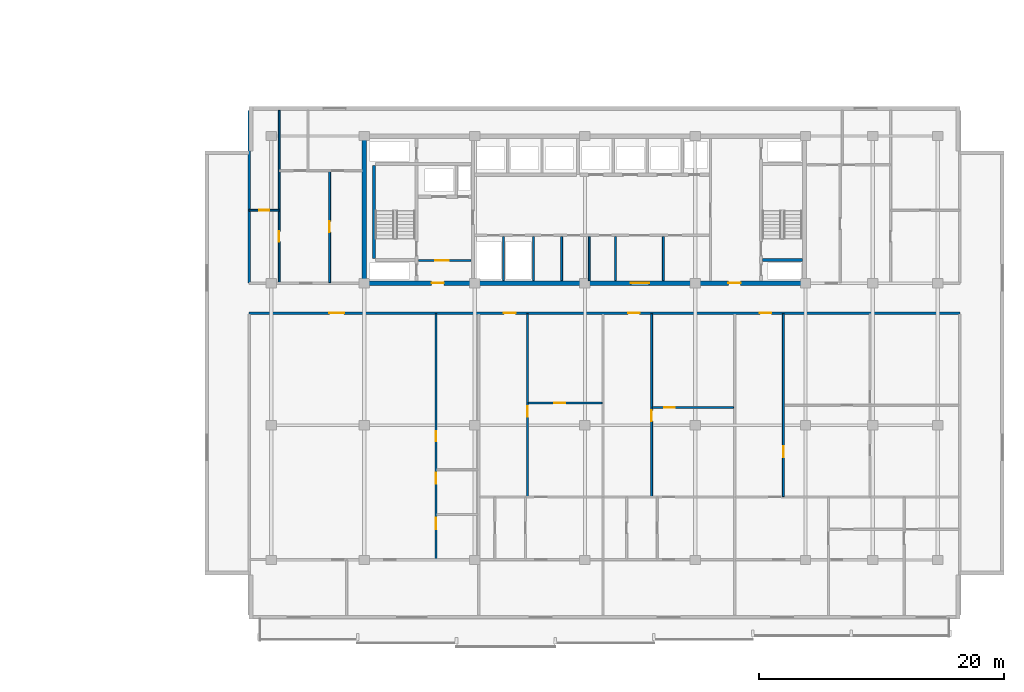
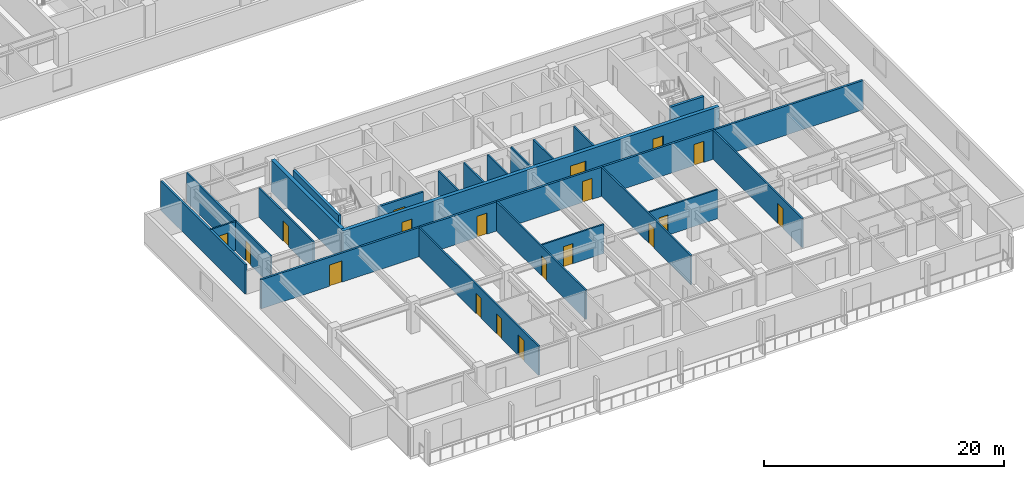
# One storey, part 5 of 21: 22 walls, 19 doors, 19 openings.
"""IFC4 building model written with IfcOpenShell, lengths in metres."""

from ifc_helpers import new_model, si_unit, direction, frame, frame_2d, origin, place, context, subcontext, project, spatial, rectangle, extrude, material, layer, layer_set, type_object, element, fill, save


model = new_model("IFC4")

# Units and contexts
model_context = context("Model", 3, precision=1e-05, world=origin(), true_north=direction((0.0, 1.0)))
body_context = subcontext(model_context, "Body", "Model", "MODEL_VIEW")
ifc_project = project(units=[si_unit("LENGTHUNIT", "METRE"), si_unit("AREAUNIT", "SQUARE_METRE"), si_unit("VOLUMEUNIT", "CUBIC_METRE"), si_unit("PLANEANGLEUNIT", "RADIAN"), si_unit("MASSUNIT", "GRAM", prefix="KILO")], contexts=[model_context])

# Site, building, storey
site_placement = place(None, origin())
site = spatial("IfcSite", under=ifc_project, at=site_placement, CompositionType="ELEMENT")
building_placement = place(site_placement, origin())
building = spatial("IfcBuilding", under=site, at=building_placement, Name="Korimba Cascade Residences", CompositionType="ELEMENT")
storey_placement = place(building_placement, frame((0.0, 0.0, 97.050048828125)))
storey = spatial("IfcBuildingStorey", under=building, at=storey_placement, Name="L27", CompositionType="ELEMENT", Elevation=97.050048828125)

# Wall
ifc_material_1 = material(Name="Concrete C65/80", Category="concrete")
ifc_layer_1 = layer(ifc_material_1, 0.35009765625)
ifc_layer_set_1 = layer_set([ifc_layer_1], Name="Concrete C65/80")
wall_type_1 = type_object("IfcWallType", Name="WAL-CORE-350", PredefinedType="SHEAR", material=ifc_layer_set_1)
wall_1_placement = place(storey_placement, frame((82.10009765625, 18.574951171875, 0.0), z_axis=(0.0, 0.0, 1.0), x_axis=(0.0, 1.0, 0.0)))
element("IfcWall", 1, at=wall_1_placement, inside=storey, type_object=wall_type_1, Name="L27 Core Shear Wall CW-L27-T2-W", PredefinedType="SHEAR", context=body_context, shape_type="SweptSolid", body=[
    extrude(rectangle(XDim=11.650146484375, YDim=0.35009765625, at=frame_2d((5.8251953125, 0.0))), origin(), (0.0, 0.0, 1.0), 3.25),
])

# Wall, openings, doors
wall_2_placement = place(storey_placement, frame((81.925048828125, 18.39990234375, 0.0), z_axis=(0.0, 0.0, 1.0), x_axis=(1.0, 0.0, 0.0)))
wall_2 = element("IfcWall", 2, at=wall_2_placement, inside=storey, type_object=wall_type_1, Name="L27 Core Shear Wall CW-L27-T2-S", PredefinedType="SHEAR", context=body_context, shape_type="SweptSolid", body=[
    extrude(rectangle(XDim=36.264892578125, YDim=0.35009765625, at=frame_2d((18.13232421875, 0.0))), origin(), (0.0, 0.0, 1.0), 3.25),
])
opening_1_placement = place(wall_2_placement, frame((5.675048828125, 0.0, 0.0)))
opening_1 = element("IfcOpeningElement", 3, at=opening_1_placement, cuts=wall_2, Name="Opening D-FD5", PredefinedType="OPENING", context=body_context, shape_type="SweptSolid", body=[
    extrude(rectangle(XDim=1.0, YDim=2.14990234375, at=frame_2d((0.5, 1.074951171875))), frame((0.0, 0.18505859375, 0.0), z_axis=(0.0, -1.0, 0.0), x_axis=(1.0, 0.0, 0.0)), (0.0, 0.0, 1.0), 0.3701171875),
])
opening_2_placement = place(wall_2_placement, frame((21.925048828125, 0.0, 0.0)))
opening_2 = element("IfcOpeningElement", 4, at=opening_2_placement, cuts=wall_2, Name="Opening D-FD8", PredefinedType="OPENING", context=body_context, shape_type="SweptSolid", body=[
    extrude(rectangle(XDim=1.5, YDim=2.199951171875, at=frame_2d((0.75, 1.10009765625))), frame((0.0, 0.18505859375, 0.0), z_axis=(0.0, -1.0, 0.0), x_axis=(1.0, 0.0, 0.0)), (0.0, 0.0, 1.0), 0.3701171875),
])
opening_3_placement = place(wall_2_placement, frame((29.875, 0.0, 0.0)))
opening_3 = element("IfcOpeningElement", 5, at=opening_3_placement, cuts=wall_2, Name="Opening D-FD5", PredefinedType="OPENING", context=body_context, shape_type="SweptSolid", body=[
    extrude(rectangle(XDim=1.0, YDim=2.14990234375, at=frame_2d((0.5, 1.074951171875))), frame((0.0, 0.18505859375, 0.0), z_axis=(0.0, -1.0, 0.0), x_axis=(1.0, 0.0, 0.0)), (0.0, 0.0, 1.0), 0.3701171875),
])
ifc_material_2 = material(Name="Fire-Rated Acoustic Timber Vestibule Door", Category="wood")
door_type_1 = type_object("IfcDoorType", Name="DR-FD90-1000", OperationType="NOTDEFINED", PredefinedType="DOOR", material=ifc_material_2)
door_1_placement = place(opening_1_placement, origin())
door_1 = element("IfcDoor", 6, at=door_1_placement, inside=storey, type_object=door_type_1, Name="L27 T2 West Core Vestibule Fire Door", OperationType="SINGLE_SWING_LEFT", OverallHeight=2.14990234375, OverallWidth=1.0, PredefinedType="DOOR", context=body_context, shape_type="SweptSolid", body=[
    extrude(rectangle(XDim=1.0, YDim=2.14990234375, at=frame_2d((0.5, 1.074951171875))), frame((0.0, 0.02490234375, 0.0), z_axis=(0.0, -1.0, 0.0), x_axis=(1.0, 0.0, 0.0)), (0.0, 0.0, 1.0), 0.050048828125),
])
fill(opening_1, door_1)
door_2_placement = place(opening_3_placement, origin())
door_2 = element("IfcDoor", 7, at=door_2_placement, inside=storey, type_object=door_type_1, Name="L27 T2 East Stair Vestibule Fire Door", OperationType="SINGLE_SWING_RIGHT", OverallHeight=2.14990234375, OverallWidth=1.0, PredefinedType="DOOR", context=body_context, shape_type="SweptSolid", body=[
    extrude(rectangle(XDim=1.0, YDim=2.14990234375, at=frame_2d((0.5, 1.074951171875))), frame((0.0, 0.02490234375, 0.0), z_axis=(0.0, -1.0, 0.0), x_axis=(1.0, 0.0, 0.0)), (0.0, 0.0, 1.0), 0.050048828125),
])
fill(opening_3, door_2)
ifc_material_3 = material(Name="Fire-Rated Glazed Lift Lobby Double Door", Category="glass")
door_type_2 = type_object("IfcDoorType", Name="DR-FD90-1500", OperationType="NOTDEFINED", PredefinedType="DOOR", material=ifc_material_3)
door_3_placement = place(opening_2_placement, origin())
door_3 = element("IfcDoor", 8, at=door_3_placement, inside=storey, type_object=door_type_2, Name="L27 T2 Lift Lobby Fire Door", OperationType="DOUBLE_DOOR_SINGLE_SWING", OverallHeight=2.199951171875, OverallWidth=1.5, PredefinedType="DOOR", context=body_context, shape_type="SweptSolid", body=[
    extrude(rectangle(XDim=1.5, YDim=2.199951171875, at=frame_2d((0.75, 1.10009765625))), frame((0.0, 0.02490234375, 0.0), z_axis=(0.0, -1.0, 0.0), x_axis=(1.0, 0.0, 0.0)), (0.0, 0.0, 1.0), 0.050048828125),
])
fill(opening_2, door_3)

# Wall
ifc_material_4 = material(Name="Precast concrete C40/50", Category="concrete")
ifc_layer_2 = layer(ifc_material_4, 0.199951171875)
ifc_layer_set_2 = layer_set([ifc_layer_2], Name="Precast concrete C40/50")
wall_type_2 = type_object("IfcWallType", Name="WAL-IT-200", PredefinedType="PARTITIONING", material=ifc_layer_set_2)
wall_3_placement = place(storey_placement, frame((72.699951171875, 18.39990234375, 0.0), z_axis=(0.0, 0.0, 1.0), x_axis=(0.0, 1.0, 0.0)))
element("IfcWall", 9, at=wall_3_placement, inside=storey, type_object=wall_type_2, Name="L27 Partition Wall WAL-L27-T2-FW-WL", PredefinedType="PARTITIONING", context=body_context, shape_type="SweptSolid", body=[
    extrude(rectangle(XDim=14.10009765625, YDim=0.199951171875, at=frame_2d((7.050048828125, 0.0))), origin(), (0.0, 0.0, 1.0), 2.969970703125),
])

# Wall, openings, doors
wall_4_placement = place(storey_placement, frame((72.699951171875, 15.949951171875, 0.0), z_axis=(0.0, 0.0, 1.0), x_axis=(1.0, 0.0, 0.0)))
wall_4 = element("IfcWall", 10, at=wall_4_placement, inside=storey, type_object=wall_type_2, Name="L27 Partition Wall WAL-L27-T2-CORS", PredefinedType="PARTITIONING", context=body_context, shape_type="SweptSolid", body=[
    extrude(rectangle(XDim=58.0, YDim=0.199951171875, at=frame_2d((29.0, 0.0))), origin(), (0.0, 0.0, 1.0), 2.969970703125),
])
opening_4_placement = place(wall_4_placement, frame((6.53857421875, 0.0, 0.0)))
opening_4 = element("IfcOpeningElement", 11, at=opening_4_placement, cuts=wall_4, Name="Opening D-AM1", PredefinedType="OPENING", context=body_context, shape_type="SweptSolid", body=[
    extrude(rectangle(XDim=1.219970703125, YDim=2.179931640625, at=frame_2d((0.60986328125, 1.08984375))), frame((0.0, 0.10986328125, 0.0), z_axis=(0.0, -1.0, 0.0), x_axis=(1.0, 0.0, 0.0)), (0.0, 0.0, 1.0), 0.219970703125),
])
opening_5_placement = place(wall_4_placement, frame((20.794921875, 0.0, 0.0)))
opening_5 = element("IfcOpeningElement", 12, at=opening_5_placement, cuts=wall_4, Name="Opening D-UN1", PredefinedType="OPENING", context=body_context, shape_type="SweptSolid", body=[
    extrude(rectangle(XDim=0.949951171875, YDim=2.14990234375, at=frame_2d((0.47509765625, 1.074951171875))), frame((0.0, 0.10986328125, 0.0), z_axis=(0.0, -1.0, 0.0), x_axis=(1.0, 0.0, 0.0)), (0.0, 0.0, 1.0), 0.219970703125),
])
opening_6_placement = place(wall_4_placement, frame((30.919921875, 0.0, 0.0)))
opening_6 = element("IfcOpeningElement", 13, at=opening_6_placement, cuts=wall_4, Name="Opening D-UN1", PredefinedType="OPENING", context=body_context, shape_type="SweptSolid", body=[
    extrude(rectangle(XDim=0.949951171875, YDim=2.14990234375, at=frame_2d((0.47509765625, 1.074951171875))), frame((0.0, 0.10986328125, 0.0), z_axis=(0.0, -1.0, 0.0), x_axis=(1.0, 0.0, 0.0)), (0.0, 0.0, 1.0), 0.219970703125),
])
opening_7_placement = place(wall_4_placement, frame((41.669921875, 0.0, 0.0)))
opening_7 = element("IfcOpeningElement", 14, at=opening_7_placement, cuts=wall_4, Name="Opening D-UN1", PredefinedType="OPENING", context=body_context, shape_type="SweptSolid", body=[
    extrude(rectangle(XDim=0.949951171875, YDim=2.14990234375, at=frame_2d((0.47509765625, 1.074951171875))), frame((0.0, 0.10986328125, 0.0), z_axis=(0.0, -1.0, 0.0), x_axis=(1.0, 0.0, 0.0)), (0.0, 0.0, 1.0), 0.219970703125),
])
ifc_material_5 = material(Name="Fire-Rated Glazed Timber Suite Door", Category="wood")
door_type_3 = type_object("IfcDoorType", Name="DR-FD60-1200", OperationType="NOTDEFINED", PredefinedType="DOOR", material=ifc_material_5)
door_4_placement = place(opening_4_placement, origin())
door_4 = element("IfcDoor", 15, at=door_4_placement, inside=storey, type_object=door_type_3, Name="L27-T2-U01 Resident Conference Room Door", OperationType="SINGLE_SWING_RIGHT", OverallHeight=2.179931640625, OverallWidth=1.219970703125, PredefinedType="DOOR", context=body_context, shape_type="SweptSolid", body=[
    extrude(rectangle(XDim=1.219970703125, YDim=2.179931640625, at=frame_2d((0.60986328125, 1.08984375))), frame((0.0, 0.02490234375, 0.0), z_axis=(0.0, -1.0, 0.0), x_axis=(1.0, 0.0, 0.0)), (0.0, 0.0, 1.0), 0.050048828125),
])
fill(opening_4, door_4)
ifc_material_6 = material(Name="Fire-Rated Hardwood Apartment Entrance Door", Category="wood")
door_type_4 = type_object("IfcDoorType", Name="DR-FD60-950", OperationType="NOTDEFINED", PredefinedType="DOOR", material=ifc_material_6)
door_5_placement = place(opening_5_placement, origin())
door_5 = element("IfcDoor", 16, at=door_5_placement, inside=storey, type_object=door_type_4, Name="Unit L27-T2-U02 Entrance Door", OperationType="SINGLE_SWING_LEFT", OverallHeight=2.14990234375, OverallWidth=0.949951171875, PredefinedType="DOOR", context=body_context, shape_type="SweptSolid", body=[
    extrude(rectangle(XDim=0.949951171875, YDim=2.14990234375, at=frame_2d((0.47509765625, 1.074951171875))), frame((0.0, 0.02490234375, 0.0), z_axis=(0.0, -1.0, 0.0), x_axis=(1.0, 0.0, 0.0)), (0.0, 0.0, 1.0), 0.050048828125),
])
fill(opening_5, door_5)
door_6_placement = place(opening_6_placement, origin())
door_6 = element("IfcDoor", 17, at=door_6_placement, inside=storey, type_object=door_type_4, Name="Unit L27-T2-U03 Entrance Door", OperationType="SINGLE_SWING_RIGHT", OverallHeight=2.14990234375, OverallWidth=0.949951171875, PredefinedType="DOOR", context=body_context, shape_type="SweptSolid", body=[
    extrude(rectangle(XDim=0.949951171875, YDim=2.14990234375, at=frame_2d((0.47509765625, 1.074951171875))), frame((0.0, 0.02490234375, 0.0), z_axis=(0.0, -1.0, 0.0), x_axis=(1.0, 0.0, 0.0)), (0.0, 0.0, 1.0), 0.050048828125),
])
fill(opening_6, door_6)
door_7_placement = place(opening_7_placement, origin())
door_7 = element("IfcDoor", 18, at=door_7_placement, inside=storey, type_object=door_type_4, Name="Unit L27-T2-U04 Entrance Door", OperationType="SINGLE_SWING_LEFT", OverallHeight=2.14990234375, OverallWidth=0.949951171875, PredefinedType="DOOR", context=body_context, shape_type="SweptSolid", body=[
    extrude(rectangle(XDim=0.949951171875, YDim=2.14990234375, at=frame_2d((0.47509765625, 1.074951171875))), frame((0.0, 0.02490234375, 0.0), z_axis=(0.0, -1.0, 0.0), x_axis=(1.0, 0.0, 0.0)), (0.0, 0.0, 1.0), 0.050048828125),
])
fill(opening_7, door_7)

# Walls
ifc_material_7 = material(Name="Insulated Acoustic Stud Partition", Category="gypsum")
ifc_layer_3 = layer(ifc_material_7, 0.14990234375)
ifc_layer_set_3 = layer_set([ifc_layer_3], Name="Insulated Acoustic Stud Partition")
wall_type_3 = type_object("IfcWallType", Name="WAL-PART-150", PredefinedType="PARTITIONING", material=ifc_layer_set_3)
for number, where, z_axis, x_axis, name in (
    (19, (93.449951171875, 18.60009765625, 0.0), (0.0, 0.0, 1.0), (0.0, 1.0, 0.0), "L27 Partition Wall CW-L27-T2-ERDIV"),
    (20, (95.89990234375, 18.60009765625, 0.0), (0.0, 0.0, 1.0), (0.0, 1.0, 0.0), "L27 Partition Wall CW-L27-T2-PRDIV"),
    (21, (98.199951171875, 18.60009765625, 0.0), (0.0, 0.0, 1.0), (0.0, 1.0, 0.0), "L27 Partition Wall CW-L27-T2-CA1W1"),
    (22, (100.449951171875, 18.60009765625, 0.0), (0.0, 0.0, 1.0), (0.0, 1.0, 0.0), "L27 Partition Wall CW-L27-T2-CA1W2"),
    (23, (102.60009765625, 18.60009765625, 0.0), (0.0, 0.0, 1.0), (0.0, 1.0, 0.0), "L27 Partition Wall CW-L27-T2-THW"),
    (24, (106.5, 18.60009765625, 0.0), (0.0, 0.0, 1.0), (0.0, 1.0, 0.0), "L27 Partition Wall CW-L27-T2-THE"),
):
    element("IfcWall", number, at=place(storey_placement, frame(where, z_axis=z_axis, x_axis=x_axis)), inside=storey, type_object=wall_type_3, Name=name, PredefinedType="PARTITIONING", context=body_context, shape_type="SweptSolid", body=[
        extrude(rectangle(XDim=3.599853515625, YDim=0.14990234375, at=frame_2d((1.7998046875, 0.0))), origin(), (0.0, 0.0, 1.0), 2.969970703125),
    ])

# Wall, opening, door
wall_5_placement = place(storey_placement, frame((72.699951171875, 24.35009765625, 0.0), z_axis=(0.0, 0.0, 1.0), x_axis=(1.0, 0.0, 0.0)))
wall_5 = element("IfcWall", 25, at=wall_5_placement, inside=storey, type_object=wall_type_3, Name="L27 Partition Wall WAL-L27-T2-FW-STH", PredefinedType="PARTITIONING", context=body_context, shape_type="SweptSolid", body=[
    extrude(rectangle(XDim=2.449951171875, YDim=0.14990234375, at=frame_2d((1.22509765625, 0.0))), origin(), (0.0, 0.0, 1.0), 2.969970703125),
])
opening_8_placement = place(wall_5_placement, frame((0.804931640625, 0.0, 0.0)))
opening_8 = element("IfcOpeningElement", 26, at=opening_8_placement, cuts=wall_5, Name="Opening D-BT1", PredefinedType="OPENING", context=body_context, shape_type="SweptSolid", body=[
    extrude(rectangle(XDim=0.840087890625, YDim=2.0400390625, at=frame_2d((0.419921875, 1.02001953125))), frame((0.0, 0.0849609375, 0.0), z_axis=(0.0, -1.0, 0.0), x_axis=(1.0, 0.0, 0.0)), (0.0, 0.0, 1.0), 0.169921875),
])
ifc_material_8 = material(Name="Moisture-Resistant Bathroom Timber Door", Category="wood")
door_type_5 = type_object("IfcDoorType", Name="DR-INT-850", OperationType="NOTDEFINED", PredefinedType="DOOR", material=ifc_material_8)
door_8_placement = place(opening_8_placement, origin())
door_8 = element("IfcDoor", 27, at=door_8_placement, inside=storey, type_object=door_type_5, Name="L27-T2-FW Dressing Store Door", OperationType="SINGLE_SWING_RIGHT", OverallHeight=2.0400390625, OverallWidth=0.840087890625, PredefinedType="DOOR", context=body_context, shape_type="SweptSolid", body=[
    extrude(rectangle(XDim=0.840087890625, YDim=2.0400390625, at=frame_2d((0.419921875, 1.02001953125))), frame((0.0, 0.02490234375, 0.0), z_axis=(0.0, -1.0, 0.0), x_axis=(1.0, 0.0, 0.0)), (0.0, 0.0, 1.0), 0.050048828125),
])
fill(opening_8, door_8)

wall_6_placement = place(storey_placement, frame((75.14990234375, 18.449951171875, 0.0), z_axis=(0.0, 0.0, 1.0), x_axis=(0.0, 1.0, 0.0)))
wall_6 = element("IfcWall", 28, at=wall_6_placement, inside=storey, type_object=wall_type_3, Name="L27 Partition Wall WAL-L27-T2-FW-STV", PredefinedType="PARTITIONING", context=body_context, shape_type="SweptSolid", body=[
    extrude(rectangle(XDim=14.050048828125, YDim=0.14990234375, at=frame_2d((7.02490234375, 0.0))), origin(), (0.0, 0.0, 1.0), 2.969970703125),
])
opening_9_placement = place(wall_6_placement, frame((3.320068359375, 0.0, 0.0)))
opening_9 = element("IfcOpeningElement", 29, at=opening_9_placement, cuts=wall_6, Name="Opening D-IN2", PredefinedType="OPENING", context=body_context, shape_type="SweptSolid", body=[
    extrude(rectangle(XDim=0.8798828125, YDim=2.06005859375, at=frame_2d((0.43994140625, 1.030029296875))), frame((0.0, 0.0849609375, 0.0), z_axis=(0.0, -1.0, 0.0), x_axis=(1.0, 0.0, 0.0)), (0.0, 0.0, 1.0), 0.169921875),
])
ifc_material_9 = material(Name="Acoustic Timber Bedroom Door", Category="wood")
door_type_6 = type_object("IfcDoorType", Name="DR-INT-880", OperationType="NOTDEFINED", PredefinedType="DOOR", material=ifc_material_9)
door_9_placement = place(opening_9_placement, origin())
door_9 = element("IfcDoor", 30, at=door_9_placement, inside=storey, type_object=door_type_6, Name="L27-T2-FW Study Door", OperationType="SINGLE_SWING_LEFT", OverallHeight=2.06005859375, OverallWidth=0.8798828125, PredefinedType="DOOR", context=body_context, shape_type="SweptSolid", body=[
    extrude(rectangle(XDim=0.8798828125, YDim=2.06005859375, at=frame_2d((0.43994140625, 1.030029296875))), frame((0.0, 0.02490234375, 0.0), z_axis=(0.0, -1.0, 0.0), x_axis=(1.0, 0.0, 0.0)), (0.0, 0.0, 1.0), 0.050048828125),
])
fill(opening_9, door_9)

wall_7_placement = place(storey_placement, frame((79.27001953125, 18.449951171875, 0.0), z_axis=(0.0, 0.0, 1.0), x_axis=(0.0, 1.0, 0.0)))
wall_7 = element("IfcWall", 31, at=wall_7_placement, inside=storey, type_object=wall_type_3, Name="L27 Partition Wall WAL-L27-T2-FW-VS", PredefinedType="PARTITIONING", context=body_context, shape_type="SweptSolid", body=[
    extrude(rectangle(XDim=9.1201171875, YDim=0.14990234375, at=frame_2d((4.56005859375, 0.0))), origin(), (0.0, 0.0, 1.0), 2.969970703125),
])
opening_10_placement = place(wall_7_placement, frame((4.10009765625, 0.0, 0.0)))
opening_10 = element("IfcOpeningElement", 32, at=opening_10_placement, cuts=wall_7, Name="Opening D-IN1", PredefinedType="OPENING", context=body_context, shape_type="SweptSolid", body=[
    extrude(rectangle(XDim=0.919921875, YDim=2.080078125, at=frame_2d((0.4599609375, 1.0400390625))), frame((0.0, 0.0849609375, 0.0), z_axis=(0.0, -1.0, 0.0), x_axis=(1.0, 0.0, 0.0)), (0.0, 0.0, 1.0), 0.169921875),
])
ifc_material_10 = material(Name="Acoustic Timber Living Door", Category="wood")
door_type_7 = type_object("IfcDoorType", Name="DR-INT-920", OperationType="NOTDEFINED", PredefinedType="DOOR", material=ifc_material_10)
door_10_placement = place(opening_10_placement, origin())
door_10 = element("IfcDoor", 33, at=door_10_placement, inside=storey, type_object=door_type_7, Name="L27-T2-FW Living Door", OperationType="SINGLE_SWING_RIGHT", OverallHeight=2.080078125, OverallWidth=0.919921875, PredefinedType="DOOR", context=body_context, shape_type="SweptSolid", body=[
    extrude(rectangle(XDim=0.919921875, YDim=2.080078125, at=frame_2d((0.4599609375, 1.0400390625))), frame((0.0, 0.02490234375, 0.0), z_axis=(0.0, -1.0, 0.0), x_axis=(1.0, 0.0, 0.0)), (0.0, 0.0, 1.0), 0.050048828125),
])
fill(opening_10, door_10)

# Wall, openings, doors
wall_8_placement = place(storey_placement, frame((87.949951171875, -4.090087890625, 0.0), z_axis=(0.0, 0.0, 1.0), x_axis=(0.0, 1.0, 0.0)))
wall_8 = element("IfcWall", 34, at=wall_8_placement, inside=storey, type_object=wall_type_3, Name="L27 Partition Wall WAL-L27-T2-U01-WCV", PredefinedType="PARTITIONING", context=body_context, shape_type="SweptSolid", body=[
    extrude(rectangle(XDim=19.97998046875, YDim=0.14990234375, at=frame_2d((9.989990234375, 0.0))), origin(), (0.0, 0.0, 1.0), 2.969970703125),
])
opening_11_placement = place(wall_8_placement, frame((2.406005859375, 0.0, 0.0)))
opening_11 = element("IfcOpeningElement", 35, at=opening_11_placement, cuts=wall_8, Name="Opening D-AC1", PredefinedType="OPENING", context=body_context, shape_type="SweptSolid", body=[
    extrude(rectangle(XDim=0.9599609375, YDim=2.10009765625, at=frame_2d((0.47998046875, 1.050048828125))), frame((0.0, 0.0849609375, 0.0), z_axis=(0.0, -1.0, 0.0), x_axis=(1.0, 0.0, 0.0)), (0.0, 0.0, 1.0), 0.169921875),
])
opening_12_placement = place(wall_8_placement, frame((6.132568359375, 0.0, 0.0)))
opening_12 = element("IfcOpeningElement", 36, at=opening_12_placement, cuts=wall_8, Name="Opening D-IN2", PredefinedType="OPENING", context=body_context, shape_type="SweptSolid", body=[
    extrude(rectangle(XDim=0.8798828125, YDim=2.06005859375, at=frame_2d((0.43994140625, 1.030029296875))), frame((0.0, 0.0849609375, 0.0), z_axis=(0.0, -1.0, 0.0), x_axis=(1.0, 0.0, 0.0)), (0.0, 0.0, 1.0), 0.169921875),
])
opening_13_placement = place(wall_8_placement, frame((9.570068359375, 0.0, 0.0)))
opening_13 = element("IfcOpeningElement", 37, at=opening_13_placement, cuts=wall_8, Name="Opening D-BT1", PredefinedType="OPENING", context=body_context, shape_type="SweptSolid", body=[
    extrude(rectangle(XDim=0.840087890625, YDim=2.0400390625, at=frame_2d((0.419921875, 1.02001953125))), frame((0.0, 0.0849609375, 0.0), z_axis=(0.0, -1.0, 0.0), x_axis=(1.0, 0.0, 0.0)), (0.0, 0.0, 1.0), 0.169921875),
])
ifc_material_11 = material(Name="Accessible Acoustic Timber WC Door", Category="wood")
door_type_8 = type_object("IfcDoorType", Name="DR-ACC-950", OperationType="NOTDEFINED", PredefinedType="DOOR", material=ifc_material_11)
door_11_placement = place(opening_11_placement, origin())
door_11 = element("IfcDoor", 38, at=door_11_placement, inside=storey, type_object=door_type_8, Name="L27-T2-U01 Accessible WC Door", OperationType="SINGLE_SWING_RIGHT", OverallHeight=2.10009765625, OverallWidth=0.9599609375, PredefinedType="DOOR", context=body_context, shape_type="SweptSolid", body=[
    extrude(rectangle(XDim=0.9599609375, YDim=2.10009765625, at=frame_2d((0.47998046875, 1.050048828125))), frame((0.0, 0.02490234375, 0.0), z_axis=(0.0, -1.0, 0.0), x_axis=(1.0, 0.0, 0.0)), (0.0, 0.0, 1.0), 0.050048828125),
])
fill(opening_11, door_11)
door_12_placement = place(opening_13_placement, origin())
door_12 = element("IfcDoor", 39, at=door_12_placement, inside=storey, type_object=door_type_5, Name="L27-T2-U01 Suite Store Door", OperationType="SINGLE_SWING_RIGHT", OverallHeight=2.0400390625, OverallWidth=0.840087890625, PredefinedType="DOOR", context=body_context, shape_type="SweptSolid", body=[
    extrude(rectangle(XDim=0.840087890625, YDim=2.0400390625, at=frame_2d((0.419921875, 1.02001953125))), frame((0.0, 0.02490234375, 0.0), z_axis=(0.0, -1.0, 0.0), x_axis=(1.0, 0.0, 0.0)), (0.0, 0.0, 1.0), 0.050048828125),
])
fill(opening_13, door_12)
door_13_placement = place(opening_12_placement, origin())
door_13 = element("IfcDoor", 40, at=door_13_placement, inside=storey, type_object=door_type_6, Name="L27-T2-U01 Restroom WC Door", OperationType="SINGLE_SWING_LEFT", OverallHeight=2.06005859375, OverallWidth=0.8798828125, PredefinedType="DOOR", context=body_context, shape_type="SweptSolid", body=[
    extrude(rectangle(XDim=0.8798828125, YDim=2.06005859375, at=frame_2d((0.43994140625, 1.030029296875))), frame((0.0, 0.02490234375, 0.0), z_axis=(0.0, -1.0, 0.0), x_axis=(1.0, 0.0, 0.0)), (0.0, 0.0, 1.0), 0.050048828125),
])
fill(opening_12, door_13)

# Wall, opening, door
wall_9_placement = place(storey_placement, frame((95.47998046875, 8.6201171875, 0.0), z_axis=(0.0, 0.0, 1.0), x_axis=(1.0, 0.0, 0.0)))
wall_9 = element("IfcWall", 41, at=wall_9_placement, inside=storey, type_object=wall_type_3, Name="L27 Partition Wall WAL-L27-T2-U02-FMH", PredefinedType="PARTITIONING", context=body_context, shape_type="SweptSolid", body=[
    extrude(rectangle(XDim=6.01513671875, YDim=0.14990234375, at=frame_2d((3.007568359375, 0.0))), origin(), (0.0, 0.0, 1.0), 2.969970703125),
])
opening_14_placement = place(wall_9_placement, frame((2.1240234375, 0.0, 0.0)))
opening_14 = element("IfcOpeningElement", 42, at=opening_14_placement, cuts=wall_9, Name="Opening D-IN2", PredefinedType="OPENING", context=body_context, shape_type="SweptSolid", body=[
    extrude(rectangle(XDim=0.8798828125, YDim=2.06005859375, at=frame_2d((0.43994140625, 1.030029296875))), frame((0.0, 0.0849609375, 0.0), z_axis=(0.0, -1.0, 0.0), x_axis=(1.0, 0.0, 0.0)), (0.0, 0.0, 1.0), 0.169921875),
])
door_14_placement = place(opening_14_placement, origin())
door_14 = element("IfcDoor", 43, at=door_14_placement, inside=storey, type_object=door_type_6, Name="L27-T2-U02 Library Salon Door", OperationType="SINGLE_SWING_LEFT", OverallHeight=2.06005859375, OverallWidth=0.8798828125, PredefinedType="DOOR", context=body_context, shape_type="SweptSolid", body=[
    extrude(rectangle(XDim=0.8798828125, YDim=2.06005859375, at=frame_2d((0.43994140625, 1.030029296875))), frame((0.0, 0.02490234375, 0.0), z_axis=(0.0, -1.0, 0.0), x_axis=(1.0, 0.0, 0.0)), (0.0, 0.0, 1.0), 0.050048828125),
])
fill(opening_14, door_14)

wall_10_placement = place(storey_placement, frame((95.419921875, 0.989990234375, 0.0), z_axis=(0.0, 0.0, 1.0), x_axis=(0.0, 1.0, 0.0)))
wall_10 = element("IfcWall", 44, at=wall_10_placement, inside=storey, type_object=wall_type_3, Name="L27 Partition Wall WAL-L27-T2-U02-FV", PredefinedType="PARTITIONING", context=body_context, shape_type="SweptSolid", body=[
    extrude(rectangle(XDim=14.89990234375, YDim=0.14990234375, at=frame_2d((7.449951171875, 0.0))), origin(), (0.0, 0.0, 1.0), 2.969970703125),
])
opening_15_placement = place(wall_10_placement, frame((6.5, 0.0, 0.0)))
opening_15 = element("IfcOpeningElement", 45, at=opening_15_placement, cuts=wall_10, Name="Opening D-IN2", PredefinedType="OPENING", context=body_context, shape_type="SweptSolid", body=[
    extrude(rectangle(XDim=0.8798828125, YDim=2.06005859375, at=frame_2d((0.43994140625, 1.030029296875))), frame((0.0, 0.0849609375, 0.0), z_axis=(0.0, -1.0, 0.0), x_axis=(1.0, 0.0, 0.0)), (0.0, 0.0, 1.0), 0.169921875),
])
door_15_placement = place(opening_15_placement, origin())
door_15 = element("IfcDoor", 46, at=door_15_placement, inside=storey, type_object=door_type_6, Name="L27-T2-U02 Media Lounge Door", OperationType="SINGLE_SWING_RIGHT", OverallHeight=2.06005859375, OverallWidth=0.8798828125, PredefinedType="DOOR", context=body_context, shape_type="SweptSolid", body=[
    extrude(rectangle(XDim=0.8798828125, YDim=2.06005859375, at=frame_2d((0.43994140625, 1.030029296875))), frame((0.0, 0.02490234375, 0.0), z_axis=(0.0, -1.0, 0.0), x_axis=(1.0, 0.0, 0.0)), (0.0, 0.0, 1.0), 0.050048828125),
])
fill(opening_15, door_15)

wall_11_placement = place(storey_placement, frame((105.60498046875, 8.260009765625, 0.0), z_axis=(0.0, 0.0, 1.0), x_axis=(1.0, 0.0, 0.0)))
wall_11 = element("IfcWall", 47, at=wall_11_placement, inside=storey, type_object=wall_type_3, Name="L27 Partition Wall WAL-L27-T2-U03-FMH", PredefinedType="PARTITIONING", context=body_context, shape_type="SweptSolid", body=[
    extrude(rectangle(XDim=6.64013671875, YDim=0.14990234375, at=frame_2d((3.320068359375, 0.0))), origin(), (0.0, 0.0, 1.0), 2.969970703125),
])
opening_16_placement = place(wall_11_placement, frame((0.957275390625, 0.0, 0.0)))
opening_16 = element("IfcOpeningElement", 48, at=opening_16_placement, cuts=wall_11, Name="Opening D-IN2", PredefinedType="OPENING", context=body_context, shape_type="SweptSolid", body=[
    extrude(rectangle(XDim=0.8798828125, YDim=2.06005859375, at=frame_2d((0.43994140625, 1.030029296875))), frame((0.0, 0.0849609375, 0.0), z_axis=(0.0, -1.0, 0.0), x_axis=(1.0, 0.0, 0.0)), (0.0, 0.0, 1.0), 0.169921875),
])
door_16_placement = place(opening_16_placement, origin())
door_16 = element("IfcDoor", 49, at=door_16_placement, inside=storey, type_object=door_type_6, Name="L27-T2-U03 Library Salon Door", OperationType="SINGLE_SWING_LEFT", OverallHeight=2.06005859375, OverallWidth=0.8798828125, PredefinedType="DOOR", context=body_context, shape_type="SweptSolid", body=[
    extrude(rectangle(XDim=0.8798828125, YDim=2.06005859375, at=frame_2d((0.43994140625, 1.030029296875))), frame((0.0, 0.02490234375, 0.0), z_axis=(0.0, -1.0, 0.0), x_axis=(1.0, 0.0, 0.0)), (0.0, 0.0, 1.0), 0.050048828125),
])
fill(opening_16, door_16)

wall_12_placement = place(storey_placement, frame((105.544921875, 0.989990234375, 0.0), z_axis=(0.0, 0.0, 1.0), x_axis=(0.0, 1.0, 0.0)))
wall_12 = element("IfcWall", 50, at=wall_12_placement, inside=storey, type_object=wall_type_3, Name="L27 Partition Wall WAL-L27-T2-U03-FV", PredefinedType="PARTITIONING", context=body_context, shape_type="SweptSolid", body=[
    extrude(rectangle(XDim=14.89990234375, YDim=0.14990234375, at=frame_2d((7.449951171875, 0.0))), origin(), (0.0, 0.0, 1.0), 2.969970703125),
])
opening_17_placement = place(wall_12_placement, frame((6.139892578125, 0.0, 0.0)))
opening_17 = element("IfcOpeningElement", 51, at=opening_17_placement, cuts=wall_12, Name="Opening D-IN2", PredefinedType="OPENING", context=body_context, shape_type="SweptSolid", body=[
    extrude(rectangle(XDim=0.8798828125, YDim=2.06005859375, at=frame_2d((0.43994140625, 1.030029296875))), frame((0.0, 0.0849609375, 0.0), z_axis=(0.0, -1.0, 0.0), x_axis=(1.0, 0.0, 0.0)), (0.0, 0.0, 1.0), 0.169921875),
])
door_17_placement = place(opening_17_placement, origin())
door_17 = element("IfcDoor", 52, at=door_17_placement, inside=storey, type_object=door_type_6, Name="L27-T2-U03 Media Lounge Door", OperationType="SINGLE_SWING_RIGHT", OverallHeight=2.06005859375, OverallWidth=0.8798828125, PredefinedType="DOOR", context=body_context, shape_type="SweptSolid", body=[
    extrude(rectangle(XDim=0.8798828125, YDim=2.06005859375, at=frame_2d((0.43994140625, 1.030029296875))), frame((0.0, 0.02490234375, 0.0), z_axis=(0.0, -1.0, 0.0), x_axis=(1.0, 0.0, 0.0)), (0.0, 0.0, 1.0), 0.050048828125),
])
fill(opening_17, door_17)

wall_13_placement = place(storey_placement, frame((116.294921875, 0.989990234375, 0.0), z_axis=(0.0, 0.0, 1.0), x_axis=(0.0, 1.0, 0.0)))
wall_13 = element("IfcWall", 53, at=wall_13_placement, inside=storey, type_object=wall_type_3, Name="L27 Partition Wall WAL-L27-T2-U04-FV", PredefinedType="PARTITIONING", context=body_context, shape_type="SweptSolid", body=[
    extrude(rectangle(XDim=14.89990234375, YDim=0.14990234375, at=frame_2d((7.449951171875, 0.0))), origin(), (0.0, 0.0, 1.0), 2.969970703125),
])
opening_18_placement = place(wall_13_placement, frame((3.215576171875, 0.0, 0.0)))
opening_18 = element("IfcOpeningElement", 54, at=opening_18_placement, cuts=wall_13, Name="Opening D-IN2", PredefinedType="OPENING", context=body_context, shape_type="SweptSolid", body=[
    extrude(rectangle(XDim=0.8798828125, YDim=2.06005859375, at=frame_2d((0.43994140625, 1.030029296875))), frame((0.0, 0.0849609375, 0.0), z_axis=(0.0, -1.0, 0.0), x_axis=(1.0, 0.0, 0.0)), (0.0, 0.0, 1.0), 0.169921875),
])
door_18_placement = place(opening_18_placement, origin())
door_18 = element("IfcDoor", 55, at=door_18_placement, inside=storey, type_object=door_type_6, Name="L27-T2-U04 Media Lounge Door", OperationType="SINGLE_SWING_RIGHT", OverallHeight=2.06005859375, OverallWidth=0.8798828125, PredefinedType="DOOR", context=body_context, shape_type="SweptSolid", body=[
    extrude(rectangle(XDim=0.8798828125, YDim=2.06005859375, at=frame_2d((0.43994140625, 1.030029296875))), frame((0.0, 0.02490234375, 0.0), z_axis=(0.0, -1.0, 0.0), x_axis=(1.0, 0.0, 0.0)), (0.0, 0.0, 1.0), 0.050048828125),
])
fill(opening_18, door_18)

ifc_material_12 = material(Name="Concrete C40/50", Category="concrete")
ifc_layer_4 = layer(ifc_material_12, 0.199951171875)
ifc_layer_set_4 = layer_set([ifc_layer_4], Name="Concrete C40/50")
wall_type_4 = type_object("IfcWallType", Name="WAL-PART-200", PredefinedType="PARTITIONING", material=ifc_layer_set_4)
wall_14_placement = place(storey_placement, frame((86.5, 20.25, 0.0), z_axis=(0.0, 0.0, 1.0), x_axis=(1.0, 0.0, 0.0)))
wall_14 = element("IfcWall", 56, at=wall_14_placement, inside=storey, type_object=wall_type_4, Name="L27 Partition Wall CW-L27-T2-FFLS", PredefinedType="PARTITIONING", context=body_context, shape_type="SweptSolid", body=[
    extrude(rectangle(XDim=4.320068359375, YDim=0.199951171875, at=frame_2d((2.16015625, 0.0))), origin(), (0.0, 0.0, 1.0), 2.969970703125),
])
opening_19_placement = place(wall_14_placement, frame((1.39990234375, 0.0, 0.0)))
opening_19 = element("IfcOpeningElement", 57, at=opening_19_placement, cuts=wall_14, Name="Opening D-FD1", PredefinedType="OPENING", context=body_context, shape_type="SweptSolid", body=[
    extrude(rectangle(XDim=1.10009765625, YDim=2.10009765625, at=frame_2d((0.550048828125, 1.050048828125))), frame((0.0, 0.10986328125, 0.0), z_axis=(0.0, -1.0, 0.0), x_axis=(1.0, 0.0, 0.0)), (0.0, 0.0, 1.0), 0.219970703125),
])
ifc_material_13 = material(Name="Fire-Rated Steel Core Door", Category="steel")
door_type_9 = type_object("IfcDoorType", Name="DR-FD120-1100", OperationType="NOTDEFINED", PredefinedType="DOOR", material=ifc_material_13)
door_19_placement = place(opening_19_placement, origin())
door_19 = element("IfcDoor", 58, at=door_19_placement, inside=storey, type_object=door_type_9, Name="L27 T2 Firefighting Lobby Door", OperationType="SINGLE_SWING_LEFT", OverallHeight=2.10009765625, OverallWidth=1.10009765625, PredefinedType="DOOR", context=body_context, shape_type="SweptSolid", body=[
    extrude(rectangle(XDim=1.10009765625, YDim=2.10009765625, at=frame_2d((0.550048828125, 1.050048828125))), frame((0.0, 0.02490234375, 0.0), z_axis=(0.0, -1.0, 0.0), x_axis=(1.0, 0.0, 0.0)), (0.0, 0.0, 1.0), 0.050048828125),
])
fill(opening_19, door_19)

# Walls
ifc_material_14 = material(Name="Concrete C50/60", Category="concrete")
ifc_layer_5 = layer(ifc_material_14, 0.25)
ifc_layer_set_5 = layer_set([ifc_layer_5], Name="Concrete C50/60")
wall_type_5 = type_object("IfcWallType", Name="WAL-SHAFT-250", PredefinedType="SHEAR", material=ifc_layer_set_5)
wall_15_placement = place(storey_placement, frame((82.875, 20.39990234375, 0.0), z_axis=(0.0, 0.0, 1.0), x_axis=(0.0, 1.0, 0.0)))
element("IfcWall", 59, at=wall_15_placement, inside=storey, type_object=wall_type_5, Name="L27 Core Shear Wall CW-L27-T2-STE1W", PredefinedType="SHEAR", context=body_context, shape_type="SweptSolid", body=[
    extrude(rectangle(XDim=7.60009765625, YDim=0.25, at=frame_2d((3.800048828125, 0.0))), origin(), (0.0, 0.0, 1.0), 3.25),
])
wall_16_placement = place(storey_placement, frame((114.60009765625, 20.27490234375, 0.0), z_axis=(0.0, 0.0, 1.0), x_axis=(1.0, 0.0, 0.0)))
element("IfcWall", 60, at=wall_16_placement, inside=storey, type_object=wall_type_5, Name="L27 Core Shear Wall CW-L27-T2-STE2S", PredefinedType="SHEAR", context=body_context, shape_type="SweptSolid", body=[
    extrude(rectangle(XDim=3.239990234375, YDim=0.25, at=frame_2d((1.6201171875, 0.0))), origin(), (0.0, 0.0, 1.0), 3.25),
])

save(model, "model.ifc")
